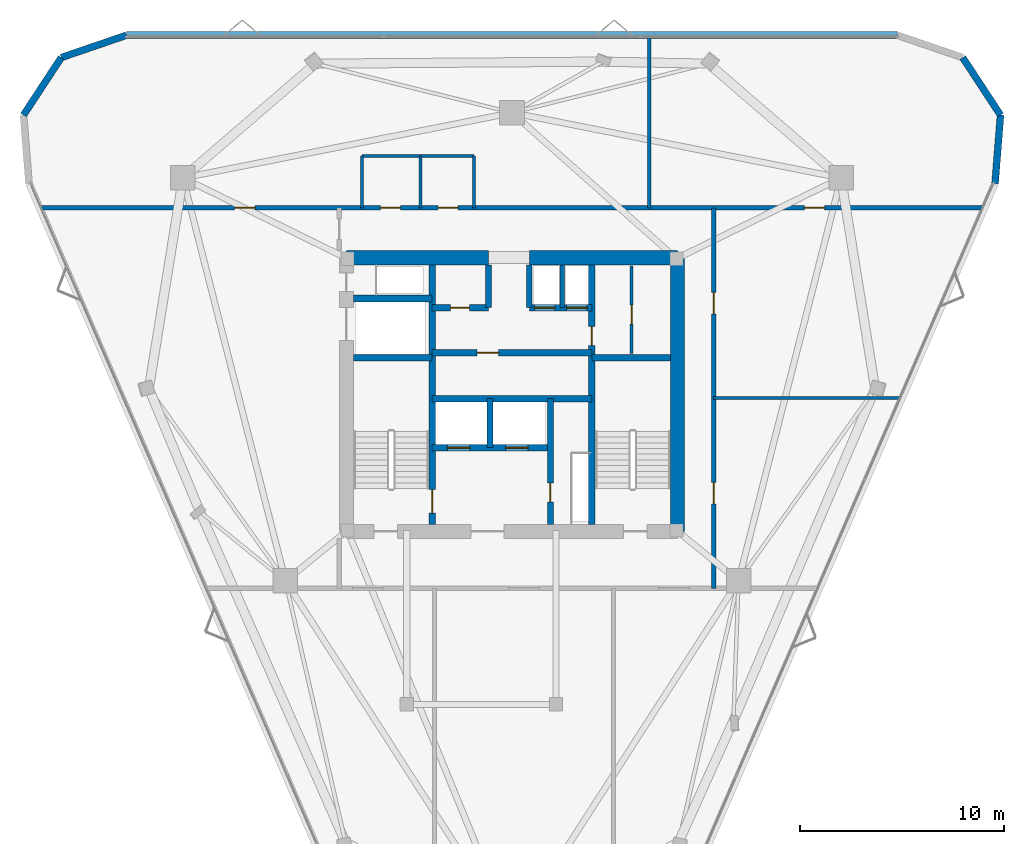
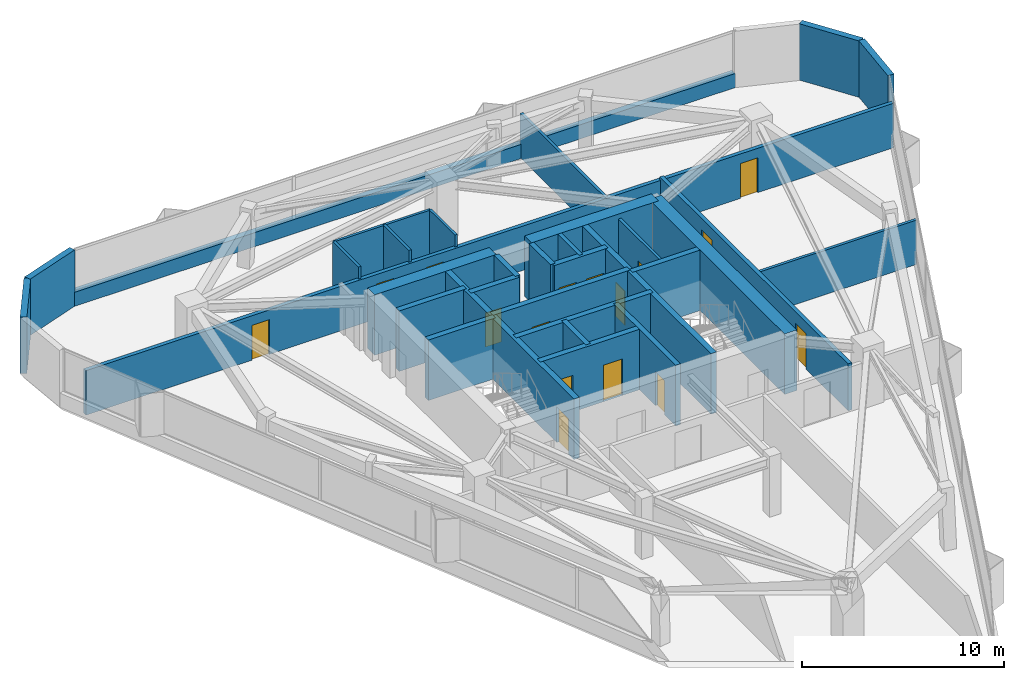
# One storey, part 9 of 11: 32 walls, 16 doors, 16 openings.
"""IFC4 building model written with IfcOpenShell, lengths in metres."""

from ifc_helpers import new_model, si_unit, direction, frame, frame_2d, origin, place, context, subcontext, project, spatial, rectangle, extrude, material, layer, layer_set, type_object, element, fill, save


model = new_model("IFC4")

# Units and contexts
model_context = context("Model", 3, precision=1e-05, world=origin(), true_north=direction((0.0, 1.0)))
body_context = subcontext(model_context, "Body", "Model", "MODEL_VIEW")
ifc_project = project(units=[si_unit("LENGTHUNIT", "METRE"), si_unit("AREAUNIT", "SQUARE_METRE"), si_unit("VOLUMEUNIT", "CUBIC_METRE"), si_unit("PLANEANGLEUNIT", "RADIAN"), si_unit("MASSUNIT", "GRAM", prefix="KILO")], contexts=[model_context])

# Site, building, storey
site_placement = place(None, origin())
site = spatial("IfcSite", under=ifc_project, at=site_placement, CompositionType="ELEMENT")
building_placement = place(site_placement, origin())
building = spatial("IfcBuilding", under=site, at=building_placement, Name="Talyreon Biosciences Tower", CompositionType="ELEMENT")
storey_placement = place(building_placement, frame((0.0, 0.0, 242.550048828125)))
storey = spatial("IfcBuildingStorey", under=building, at=storey_placement, Name="L64", CompositionType="ELEMENT", Elevation=242.550048828125)

# Walls
ifc_material_1 = material(Name="Concrete C50/60", Category="concrete")
ifc_layer_1 = layer(ifc_material_1, 0.219970703125)
ifc_layer_set_1 = layer_set([ifc_layer_1], Name="Concrete C50/60")
wall_type_1 = type_object("IfcWallType", Name="CoreShearWall_220", PredefinedType="SHEAR", material=ifc_layer_set_1)
wall_1_placement = place(storey_placement, frame((68.4599609375, 72.25, 0.0), z_axis=(0.0, 0.0, 1.0), x_axis=(0.0, 1.0, 0.0)))
element("IfcWall", 1, at=wall_1_placement, inside=storey, type_object=wall_type_1, Name="L64 Core Shaft Wall SWPHD", PredefinedType="SHEAR", context=body_context, shape_type="SweptSolid", body=[
    extrude(rectangle(XDim=2.10009765625, YDim=0.219970703125, at=frame_2d((1.050048828125, 0.0))), origin(), (0.0, 0.0, 1.0), 3.64990234375),
])
ifc_layer_2 = layer(ifc_material_1, 0.280029296875)
ifc_layer_set_2 = layer_set([ifc_layer_2], Name="Concrete C50/60")
wall_type_2 = type_object("IfcWallType", Name="CoreShearWall_280", PredefinedType="SHEAR", material=ifc_layer_set_2)
wall_2_placement = place(storey_placement, frame((64.919921875, 65.39990234375, 0.0), z_axis=(0.0, 0.0, 1.0), x_axis=(0.0, 1.0, 0.0)))
element("IfcWall", 2, at=wall_2_placement, inside=storey, type_object=wall_type_2, Name="L64 Core Shaft Wall SWSHD1", PredefinedType="SHEAR", context=body_context, shape_type="SweptSolid", body=[
    extrude(rectangle(XDim=2.400146484375, YDim=0.280029296875, at=frame_2d((1.2001953125, 0.0))), origin(), (0.0, 0.0, 1.0), 3.64990234375),
])
for number, where, z_axis, x_axis, name in (
    (3, (64.85009765625, 72.25, 0.0), (0.0, 0.0, 1.0), (0.0, 1.0, 0.0), "L64 Core Shaft Wall SWTHW"),
    (4, (66.85009765625, 72.25, 0.0), (0.0, 0.0, 1.0), (0.0, 1.0, 0.0), "L64 Core Shaft Wall SWTHE"),
):
    element("IfcWall", number, at=place(storey_placement, frame(where, z_axis=z_axis, x_axis=x_axis)), inside=storey, type_object=wall_type_2, Name=name, PredefinedType="SHEAR", context=body_context, shape_type="SweptSolid", body=[
        extrude(rectangle(XDim=2.10009765625, YDim=0.280029296875, at=frame_2d((1.050048828125, 0.0))), origin(), (0.0, 0.0, 1.0), 3.64990234375),
    ])

# Wall, opening, door
wall_3_placement = place(storey_placement, frame((67.8798828125, 61.64990234375, 0.0), z_axis=(0.0, 0.0, 1.0), x_axis=(0.0, 1.0, 0.0)))
wall_3 = element("IfcWall", 5, at=wall_3_placement, inside=storey, type_object=wall_type_2, Name="L64 Core Shaft Wall SWFFE", PredefinedType="SHEAR", context=body_context, shape_type="SweptSolid", body=[
    extrude(rectangle(XDim=6.150146484375, YDim=0.280029296875, at=frame_2d((3.0751953125, 0.0))), origin(), (0.0, 0.0, 1.0), 3.64990234375),
])
opening_1_placement = place(wall_3_placement, frame((1.10009765625, 0.0, 0.0)))
opening_1 = element("IfcOpeningElement", 6, at=opening_1_placement, cuts=wall_3, Name="Opening DR-L64-RSE", PredefinedType="OPENING", context=body_context, shape_type="SweptSolid", body=[
    extrude(rectangle(XDim=0.919921875, YDim=2.050048828125, at=frame_2d((0.4599609375, 1.02490234375))), frame((0.0, 0.14990234375, 0.0), z_axis=(0.0, -1.0, 0.0), x_axis=(1.0, 0.0, 0.0)), (0.0, 0.0, 1.0), 0.300048828125),
])
ifc_material_2 = material(Name="Painted steel fire-rated riser door", Category="steel")
door_type_1 = type_object("IfcDoorType", Name="RiserPlantAccessDoor_920x2050", OperationType="NOTDEFINED", PredefinedType="DOOR", material=ifc_material_2)
door_1_placement = place(opening_1_placement, origin())
door_1 = element("IfcDoor", 7, at=door_1_placement, inside=storey, type_object=door_type_1, Name="L64 Core Door DR-L64-RSE", OperationType="SINGLE_SWING_RIGHT", OverallHeight=2.050048828125, OverallWidth=0.919921875, PredefinedType="DOOR", context=body_context, shape_type="SweptSolid", body=[
    extrude(rectangle(XDim=0.919921875, YDim=2.050048828125, at=frame_2d((0.4599609375, 1.02490234375))), frame((0.0, 0.02490234375, 0.0), z_axis=(0.0, -1.0, 0.0), x_axis=(1.0, 0.0, 0.0)), (0.0, 0.0, 1.0), 0.050048828125),
])
fill(opening_1, door_1)

ifc_layer_3 = layer(ifc_material_1, 0.320068359375)
ifc_layer_set_3 = layer_set([ifc_layer_3], Name="Concrete C50/60")
wall_type_3 = type_object("IfcWallType", Name="CoreShearWall_320", PredefinedType="SHEAR", material=ifc_layer_set_3)
wall_4_placement = place(storey_placement, frame((62.090087890625, 61.64990234375, 0.0), z_axis=(0.0, 0.0, 1.0), x_axis=(0.0, 1.0, 0.0)))
wall_4 = element("IfcWall", 8, at=wall_4_placement, inside=storey, type_object=wall_type_3, Name="L64 Core Shaft Wall SW1E", PredefinedType="SHEAR", context=body_context, shape_type="SweptSolid", body=[
    extrude(rectangle(XDim=12.7001953125, YDim=0.320068359375, at=frame_2d((6.35009765625, 0.0))), origin(), (0.0, 0.0, 1.0), 3.64990234375),
])
opening_2_placement = place(wall_4_placement, frame((0.550048828125, 0.0, 0.0)))
opening_2 = element("IfcOpeningElement", 9, at=opening_2_placement, cuts=wall_4, Name="Opening DR-L64-FF-ST1", PredefinedType="OPENING", context=body_context, shape_type="SweptSolid", body=[
    extrude(rectangle(XDim=1.14990234375, YDim=2.14990234375, at=frame_2d((0.574951171875, 1.074951171875))), frame((0.0, 0.169921875, 0.0), z_axis=(0.0, -1.0, 0.0), x_axis=(1.0, 0.0, 0.0)), (0.0, 0.0, 1.0), 0.340087890625),
])
ifc_material_3 = material(Name="Painted steel fire door", Category="steel")
door_type_2 = type_object("IfcDoorType", Name="StairShaftFireDoor_1150x2150", OperationType="NOTDEFINED", PredefinedType="DOOR", material=ifc_material_3)
door_2_placement = place(opening_2_placement, origin())
door_2 = element("IfcDoor", 10, at=door_2_placement, inside=storey, type_object=door_type_2, Name="L64 Core Door DR-L64-FF-ST1", OperationType="SINGLE_SWING_LEFT", OverallHeight=2.14990234375, OverallWidth=1.14990234375, PredefinedType="DOOR", context=body_context, shape_type="SweptSolid", body=[
    extrude(rectangle(XDim=1.14990234375, YDim=2.14990234375, at=frame_2d((0.574951171875, 1.074951171875))), frame((0.0, 0.02490234375, 0.0), z_axis=(0.0, -1.0, 0.0), x_axis=(1.0, 0.0, 0.0)), (0.0, 0.0, 1.0), 0.050048828125),
])
fill(opening_2, door_2)

wall_5_placement = place(storey_placement, frame((69.909912109375, 61.64990234375, 0.0), z_axis=(0.0, 0.0, 1.0), x_axis=(0.0, 1.0, 0.0)))
wall_5 = element("IfcWall", 11, at=wall_5_placement, inside=storey, type_object=wall_type_3, Name="L64 Core Shaft Wall SW2W", PredefinedType="SHEAR", context=body_context, shape_type="SweptSolid", body=[
    extrude(rectangle(XDim=12.7001953125, YDim=0.320068359375, at=frame_2d((6.35009765625, 0.0))), origin(), (0.0, 0.0, 1.0), 3.64990234375),
])
opening_3_placement = place(wall_5_placement, frame((8.75, 0.0, 0.0)))
opening_3 = element("IfcOpeningElement", 12, at=opening_3_placement, cuts=wall_5, Name="Opening DR-L64-CSRV", PredefinedType="OPENING", context=body_context, shape_type="SweptSolid", body=[
    extrude(rectangle(XDim=0.919921875, YDim=2.050048828125, at=frame_2d((0.4599609375, 1.02490234375))), frame((0.0, 0.169921875, 0.0), z_axis=(0.0, -1.0, 0.0), x_axis=(1.0, 0.0, 0.0)), (0.0, 0.0, 1.0), 0.340087890625),
])
door_3_placement = place(opening_3_placement, origin())
door_3 = element("IfcDoor", 13, at=door_3_placement, inside=storey, type_object=door_type_1, Name="L64 Core Door DR-L64-CSRV", OperationType="SINGLE_SWING_RIGHT", OverallHeight=2.050048828125, OverallWidth=0.919921875, PredefinedType="DOOR", context=body_context, shape_type="SweptSolid", body=[
    extrude(rectangle(XDim=0.919921875, YDim=2.050048828125, at=frame_2d((0.4599609375, 1.02490234375))), frame((0.0, 0.02490234375, 0.0), z_axis=(0.0, -1.0, 0.0), x_axis=(1.0, 0.0, 0.0)), (0.0, 0.0, 1.0), 0.050048828125),
])
fill(opening_3, door_3)

# Walls
for number, where, z_axis, x_axis, name in (
    (14, (58.25, 69.81005859375, 0.0), (0.0, 0.0, 1.0), (1.0, 0.0, 0.0), "L64 Core Shaft Wall SW1N"),
    (15, (69.909912109375, 69.81005859375, 0.0), (0.0, 0.0, 1.0), (1.0, 0.0, 0.0), "L64 Core Shaft Wall SW2N"),
    (16, (58.25, 72.699951171875, 0.0), (0.0, 0.0, 1.0), (1.0, 0.0, 0.0), "L64 Core Shaft Wall SWGLN"),
):
    element("IfcWall", number, at=place(storey_placement, frame(where, z_axis=z_axis, x_axis=x_axis)), inside=storey, type_object=wall_type_3, Name=name, PredefinedType="SHEAR", context=body_context, shape_type="SweptSolid", body=[
        extrude(rectangle(XDim=3.840087890625, YDim=0.320068359375, at=frame_2d((1.919921875, 0.0))), origin(), (0.0, 0.0, 1.0), 3.64990234375),
    ])
wall_6_placement = place(storey_placement, frame((62.090087890625, 67.800048828125, 0.0), z_axis=(0.0, 0.0, 1.0), x_axis=(1.0, 0.0, 0.0)))
element("IfcWall", 17, at=wall_6_placement, inside=storey, type_object=wall_type_3, Name="L64 Core Shaft Wall SWSHM", PredefinedType="SHEAR", context=body_context, shape_type="SweptSolid", body=[
    extrude(rectangle(XDim=7.81982421875, YDim=0.320068359375, at=frame_2d((3.909912109375, 0.0))), origin(), (0.0, 0.0, 1.0), 3.64990234375),
])

# Wall, opening, door
wall_7_placement = place(storey_placement, frame((62.090087890625, 70.050048828125, 0.0), z_axis=(0.0, 0.0, 1.0), x_axis=(1.0, 0.0, 0.0)))
wall_7 = element("IfcWall", 18, at=wall_7_placement, inside=storey, type_object=wall_type_3, Name="L64 Core Shaft Wall SWSPN", PredefinedType="SHEAR", context=body_context, shape_type="SweptSolid", body=[
    extrude(rectangle(XDim=7.81982421875, YDim=0.320068359375, at=frame_2d((3.909912109375, 0.0))), origin(), (0.0, 0.0, 1.0), 3.64990234375),
])
opening_4_placement = place(wall_7_placement, frame((2.199951171875, 0.0, 0.0)))
opening_4 = element("IfcOpeningElement", 19, at=opening_4_placement, cuts=wall_7, Name="Opening DR-L64-PLPMFREE", PredefinedType="OPENING", context=body_context, shape_type="SweptSolid", body=[
    extrude(rectangle(XDim=1.050048828125, YDim=2.14990234375, at=frame_2d((0.52490234375, 1.074951171875))), frame((0.0, 0.169921875, 0.0), z_axis=(0.0, -1.0, 0.0), x_axis=(1.0, 0.0, 0.0)), (0.0, 0.0, 1.0), 0.340087890625),
])
ifc_material_4 = material(Name="Acoustic timber-core laboratory door", Category="wood")
door_type_3 = type_object("IfcDoorType", Name="DryLabSingleDoor_1050x2150", OperationType="NOTDEFINED", PredefinedType="DOOR", material=ifc_material_4)
door_4_placement = place(opening_4_placement, origin())
door_4 = element("IfcDoor", 20, at=door_4_placement, inside=storey, type_object=door_type_3, Name="L64 Core Door DR-L64-PLPMFREE", OperationType="SINGLE_SWING_LEFT", OverallHeight=2.14990234375, OverallWidth=1.050048828125, PredefinedType="DOOR", context=body_context, shape_type="SweptSolid", body=[
    extrude(rectangle(XDim=1.050048828125, YDim=2.14990234375, at=frame_2d((0.52490234375, 1.074951171875))), frame((0.0, 0.02490234375, 0.0), z_axis=(0.0, -1.0, 0.0), x_axis=(1.0, 0.0, 0.0)), (0.0, 0.0, 1.0), 0.050048828125),
])
fill(opening_4, door_4)

wall_8_placement = place(storey_placement, frame((62.090087890625, 72.25, 0.0), z_axis=(0.0, 0.0, 1.0), x_axis=(1.0, 0.0, 0.0)))
wall_8 = element("IfcWall", 21, at=wall_8_placement, inside=storey, type_object=wall_type_3, Name="L64 Core Shaft Wall SWNPW", PredefinedType="SHEAR", context=body_context, shape_type="SweptSolid", body=[
    extrude(rectangle(XDim=2.760009765625, YDim=0.320068359375, at=frame_2d((1.3798828125, 0.0))), origin(), (0.0, 0.0, 1.0), 3.64990234375),
])
opening_5_placement = place(wall_8_placement, frame((0.89990234375, 0.0, 0.0)))
opening_5 = element("IfcOpeningElement", 22, at=opening_5_placement, cuts=wall_8, Name="Opening DR-L64-PM2FREE", PredefinedType="OPENING", context=body_context, shape_type="SweptSolid", body=[
    extrude(rectangle(XDim=0.919921875, YDim=2.050048828125, at=frame_2d((0.4599609375, 1.02490234375))), frame((0.0, 0.169921875, 0.0), z_axis=(0.0, -1.0, 0.0), x_axis=(1.0, 0.0, 0.0)), (0.0, 0.0, 1.0), 0.340087890625),
])
door_5_placement = place(opening_5_placement, origin())
door_5 = element("IfcDoor", 23, at=door_5_placement, inside=storey, type_object=door_type_1, Name="L64 Core Door DR-L64-PM2FREE", OperationType="SINGLE_SWING_RIGHT", OverallHeight=2.050048828125, OverallWidth=0.919921875, PredefinedType="DOOR", context=body_context, shape_type="SweptSolid", body=[
    extrude(rectangle(XDim=0.919921875, YDim=2.050048828125, at=frame_2d((0.4599609375, 1.02490234375))), frame((0.0, 0.02490234375, 0.0), z_axis=(0.0, -1.0, 0.0), x_axis=(1.0, 0.0, 0.0)), (0.0, 0.0, 1.0), 0.050048828125),
])
fill(opening_5, door_5)

# Wall, openings, doors
wall_9_placement = place(storey_placement, frame((66.85009765625, 72.25, 0.0), z_axis=(0.0, 0.0, 1.0), x_axis=(1.0, 0.0, 0.0)))
wall_9 = element("IfcWall", 24, at=wall_9_placement, inside=storey, type_object=wall_type_3, Name="L64 Core Shaft Wall SWNPE", PredefinedType="SHEAR", context=body_context, shape_type="SweptSolid", body=[
    extrude(rectangle(XDim=3.059814453125, YDim=0.320068359375, at=frame_2d((1.52978515625, 0.0))), origin(), (0.0, 0.0, 1.0), 3.64990234375),
])
opening_6_placement = place(wall_9_placement, frame((0.25, 0.0, 0.0)))
opening_6 = element("IfcOpeningElement", 25, at=opening_6_placement, cuts=wall_9, Name="Opening LD-L64-PH1", PredefinedType="OPENING", context=body_context, shape_type="SweptSolid", body=[
    extrude(rectangle(XDim=1.0, YDim=2.199951171875, at=frame_2d((0.5, 1.10009765625))), frame((0.0, 0.169921875, 0.0), z_axis=(0.0, -1.0, 0.0), x_axis=(1.0, 0.0, 0.0)), (0.0, 0.0, 1.0), 0.340087890625),
])
opening_7_placement = place(wall_9_placement, frame((1.820068359375, 0.0, 0.0)))
opening_7 = element("IfcOpeningElement", 26, at=opening_7_placement, cuts=wall_9, Name="Opening LD-L64-PH2", PredefinedType="OPENING", context=body_context, shape_type="SweptSolid", body=[
    extrude(rectangle(XDim=1.0, YDim=2.199951171875, at=frame_2d((0.5, 1.10009765625))), frame((0.0, 0.169921875, 0.0), z_axis=(0.0, -1.0, 0.0), x_axis=(1.0, 0.0, 0.0)), (0.0, 0.0, 1.0), 0.340087890625),
])
ifc_material_5 = material(Name="Brushed stainless-steel lift landing door", Category="steel")
door_type_4 = type_object("IfcDoorType", Name="LiftSlidingLandingDoor_1100x2200", OperationType="SLIDING_TO_LEFT", PredefinedType="DOOR", material=ifc_material_5)
door_6_placement = place(opening_6_placement, origin())
door_6 = element("IfcDoor", 27, at=door_6_placement, inside=storey, type_object=door_type_4, Name="L64 Core Door LD-L64-PH1", OperationType="SLIDING_TO_LEFT", OverallHeight=2.199951171875, OverallWidth=1.0, PredefinedType="DOOR", context=body_context, shape_type="SweptSolid", body=[
    extrude(rectangle(XDim=1.0, YDim=2.199951171875, at=frame_2d((0.5, 1.10009765625))), frame((0.0, 0.02490234375, 0.0), z_axis=(0.0, -1.0, 0.0), x_axis=(1.0, 0.0, 0.0)), (0.0, 0.0, 1.0), 0.050048828125),
])
fill(opening_6, door_6)
door_7_placement = place(opening_7_placement, origin())
door_7 = element("IfcDoor", 28, at=door_7_placement, inside=storey, type_object=door_type_4, Name="L64 Core Door LD-L64-PH2", OperationType="SLIDING_TO_LEFT", OverallHeight=2.199951171875, OverallWidth=1.0, PredefinedType="DOOR", context=body_context, shape_type="SweptSolid", body=[
    extrude(rectangle(XDim=1.0, YDim=2.199951171875, at=frame_2d((0.5, 1.10009765625))), frame((0.0, 0.02490234375, 0.0), z_axis=(0.0, -1.0, 0.0), x_axis=(1.0, 0.0, 0.0)), (0.0, 0.0, 1.0), 0.050048828125),
])
fill(opening_7, door_7)

wall_10_placement = place(storey_placement, frame((62.090087890625, 65.39990234375, 0.0), z_axis=(0.0, 0.0, 1.0), x_axis=(1.0, 0.0, 0.0)))
wall_10 = element("IfcWall", 29, at=wall_10_placement, inside=storey, type_object=wall_type_3, Name="L64 Core Shaft Wall SWFFN", PredefinedType="SHEAR", context=body_context, shape_type="SweptSolid", body=[
    extrude(rectangle(XDim=5.789794921875, YDim=0.320068359375, at=frame_2d((2.89501953125, 0.0))), origin(), (0.0, 0.0, 1.0), 3.64990234375),
])
opening_8_placement = place(wall_10_placement, frame((0.75, 0.0, 0.0)))
opening_8 = element("IfcOpeningElement", 30, at=opening_8_placement, cuts=wall_10, Name="Opening LD-L64-FL1", PredefinedType="OPENING", context=body_context, shape_type="SweptSolid", body=[
    extrude(rectangle(XDim=1.10009765625, YDim=2.199951171875, at=frame_2d((0.550048828125, 1.10009765625))), frame((0.0, 0.169921875, 0.0), z_axis=(0.0, -1.0, 0.0), x_axis=(1.0, 0.0, 0.0)), (0.0, 0.0, 1.0), 0.340087890625),
])
opening_9_placement = place(wall_10_placement, frame((3.60009765625, 0.0, 0.0)))
opening_9 = element("IfcOpeningElement", 31, at=opening_9_placement, cuts=wall_10, Name="Opening LD-L64-FL2", PredefinedType="OPENING", context=body_context, shape_type="SweptSolid", body=[
    extrude(rectangle(XDim=1.10009765625, YDim=2.199951171875, at=frame_2d((0.550048828125, 1.10009765625))), frame((0.0, 0.169921875, 0.0), z_axis=(0.0, -1.0, 0.0), x_axis=(1.0, 0.0, 0.0)), (0.0, 0.0, 1.0), 0.340087890625),
])
door_8_placement = place(opening_8_placement, origin())
door_8 = element("IfcDoor", 32, at=door_8_placement, inside=storey, type_object=door_type_4, Name="L64 Core Door LD-L64-FL1", OperationType="SLIDING_TO_LEFT", OverallHeight=2.199951171875, OverallWidth=1.10009765625, PredefinedType="DOOR", context=body_context, shape_type="SweptSolid", body=[
    extrude(rectangle(XDim=1.10009765625, YDim=2.199951171875, at=frame_2d((0.550048828125, 1.10009765625))), frame((0.0, 0.02490234375, 0.0), z_axis=(0.0, -1.0, 0.0), x_axis=(1.0, 0.0, 0.0)), (0.0, 0.0, 1.0), 0.050048828125),
])
fill(opening_8, door_8)
door_9_placement = place(opening_9_placement, origin())
door_9 = element("IfcDoor", 33, at=door_9_placement, inside=storey, type_object=door_type_4, Name="L64 Core Door LD-L64-FL2", OperationType="SLIDING_TO_LEFT", OverallHeight=2.199951171875, OverallWidth=1.10009765625, PredefinedType="DOOR", context=body_context, shape_type="SweptSolid", body=[
    extrude(rectangle(XDim=1.10009765625, YDim=2.199951171875, at=frame_2d((0.550048828125, 1.10009765625))), frame((0.0, 0.02490234375, 0.0), z_axis=(0.0, -1.0, 0.0), x_axis=(1.0, 0.0, 0.0)), (0.0, 0.0, 1.0), 0.050048828125),
])
fill(opening_9, door_9)

# Walls
ifc_layer_4 = layer(ifc_material_1, 0.699951171875)
ifc_layer_set_4 = layer_set([ifc_layer_4], Name="Concrete C50/60")
wall_type_4 = type_object("IfcWallType", Name="CoreShearWall_700", PredefinedType="SHEAR", material=ifc_layer_set_4)
wall_11_placement = place(storey_placement, frame((74.10009765625, 61.300048828125, 0.0), z_axis=(0.0, 0.0, 1.0), x_axis=(0.0, 1.0, 0.0)))
element("IfcWall", 34, at=wall_11_placement, inside=storey, type_object=wall_type_4, Name="L64 Core Shear Wall E", PredefinedType="SHEAR", context=body_context, shape_type="SweptSolid", body=[
    extrude(rectangle(XDim=13.39990234375, YDim=0.699951171875, at=frame_2d((6.699951171875, 0.0))), origin(), (0.0, 0.0, 1.0), 3.64990234375),
])
wall_12_placement = place(storey_placement, frame((74.10009765625, 74.699951171875, 0.0), z_axis=(0.0, 0.0, 1.0), x_axis=(-1.0, 0.0, 0.0)))
element("IfcWall", 35, at=wall_12_placement, inside=storey, type_object=wall_type_4, Name="L64 Core Shear Wall NE", PredefinedType="SHEAR", context=body_context, shape_type="SweptSolid", body=[
    extrude(rectangle(XDim=7.25, YDim=0.699951171875, at=frame_2d((3.625, 0.0))), origin(), (0.0, 0.0, 1.0), 3.64990234375),
])
wall_13_placement = place(storey_placement, frame((64.85009765625, 74.699951171875, 0.0), z_axis=(0.0, 0.0, 1.0), x_axis=(-1.0, 0.0, 0.0)))
element("IfcWall", 36, at=wall_13_placement, inside=storey, type_object=wall_type_4, Name="L64 Core Shear Wall NW", PredefinedType="SHEAR", context=body_context, shape_type="SweptSolid", body=[
    extrude(rectangle(XDim=6.9501953125, YDim=0.699951171875, at=frame_2d((3.47509765625, 0.0))), origin(), (0.0, 0.0, 1.0), 3.64990234375),
])

# Wall, openings, doors
ifc_material_6 = material(Name="Gypsum fireboard acoustic stud", Category="gypsum")
ifc_layer_5 = layer(ifc_material_6, 0.219970703125)
ifc_layer_set_5 = layer_set([ifc_layer_5], Name="Gypsum fireboard acoustic stud")
wall_type_5 = type_object("IfcWallType", Name="CorridorRatedPartition_220", PredefinedType="PARTITIONING", material=ifc_layer_set_5)
wall_14_placement = place(storey_placement, frame((42.966796875, 77.1298828125, 0.0), z_axis=(0.0, 0.0, 1.0), x_axis=(1.0, 0.0, 0.0)))
wall_14 = element("IfcWall", 37, at=wall_14_placement, inside=storey, type_object=wall_type_5, Name="L64 Interior Wall IW-L64-COR-N", PredefinedType="PARTITIONING", context=body_context, shape_type="SweptSolid", body=[
    extrude(rectangle(XDim=46.06640625, YDim=0.219970703125, at=frame_2d((23.033203125, 0.0))), origin(), (0.0, 0.0, 1.0), 2.679931640625),
])
opening_10_placement = place(wall_14_placement, frame((16.593017578125, 0.0, 0.0)))
opening_10 = element("IfcOpeningElement", 38, at=opening_10_placement, cuts=wall_14, Name="Opening DR-L64-WC", PredefinedType="OPENING", context=body_context, shape_type="SweptSolid", body=[
    extrude(rectangle(XDim=0.97998046875, YDim=2.10009765625, at=frame_2d((0.489990234375, 1.050048828125))), frame((0.0, 0.119873046875, 0.0), z_axis=(0.0, -1.0, 0.0), x_axis=(1.0, 0.0, 0.0)), (0.0, 0.0, 1.0), 0.239990234375),
])
opening_11_placement = place(wall_14_placement, frame((19.41796875, 0.0, 0.0)))
opening_11 = element("IfcOpeningElement", 39, at=opening_11_placement, cuts=wall_14, Name="Opening DR-L64-AWC", PredefinedType="OPENING", context=body_context, shape_type="SweptSolid", body=[
    extrude(rectangle(XDim=0.97998046875, YDim=2.10009765625, at=frame_2d((0.489990234375, 1.050048828125))), frame((0.0, 0.119873046875, 0.0), z_axis=(0.0, -1.0, 0.0), x_axis=(1.0, 0.0, 0.0)), (0.0, 0.0, 1.0), 0.239990234375),
])
opening_12_placement = place(wall_14_placement, frame((9.464111328125, 0.0, 0.0)))
opening_12 = element("IfcOpeningElement", 40, at=opening_12_placement, cuts=wall_14, Name="Opening DR-L64-N1A", PredefinedType="OPENING", context=body_context, shape_type="SweptSolid", body=[
    extrude(rectangle(XDim=1.0, YDim=2.10009765625, at=frame_2d((0.5, 1.050048828125))), frame((0.0, 0.119873046875, 0.0), z_axis=(0.0, -1.0, 0.0), x_axis=(1.0, 0.0, 0.0)), (0.0, 0.0, 1.0), 0.239990234375),
])
opening_13_placement = place(wall_14_placement, frame((37.3349609375, 0.0, 0.0)))
opening_13 = element("IfcOpeningElement", 41, at=opening_13_placement, cuts=wall_14, Name="Opening DR-L64-N2A", PredefinedType="OPENING", context=body_context, shape_type="SweptSolid", body=[
    extrude(rectangle(XDim=1.0, YDim=2.10009765625, at=frame_2d((0.5, 1.050048828125))), frame((0.0, 0.119873046875, 0.0), z_axis=(0.0, -1.0, 0.0), x_axis=(1.0, 0.0, 0.0)), (0.0, 0.0, 1.0), 0.239990234375),
])
ifc_material_7 = material(Name="Laminate moisture-resistant door", Category="wood")
door_type_5 = type_object("IfcDoorType", Name="AccessibleToiletDoor_980x2100", OperationType="NOTDEFINED", PredefinedType="DOOR", material=ifc_material_7)
door_10_placement = place(opening_10_placement, origin())
door_10 = element("IfcDoor", 42, at=door_10_placement, inside=storey, type_object=door_type_5, Name="L64 Interior Door DR-L64-WC", OperationType="SINGLE_SWING_RIGHT", OverallHeight=2.10009765625, OverallWidth=0.97998046875, PredefinedType="DOOR", context=body_context, shape_type="SweptSolid", body=[
    extrude(rectangle(XDim=0.97998046875, YDim=2.10009765625, at=frame_2d((0.489990234375, 1.050048828125))), frame((0.0, 0.02490234375, 0.0), z_axis=(0.0, -1.0, 0.0), x_axis=(1.0, 0.0, 0.0)), (0.0, 0.0, 1.0), 0.050048828125),
])
fill(opening_10, door_10)
door_11_placement = place(opening_11_placement, origin())
door_11 = element("IfcDoor", 43, at=door_11_placement, inside=storey, type_object=door_type_5, Name="L64 Interior Door DR-L64-AWC", OperationType="SINGLE_SWING_RIGHT", OverallHeight=2.10009765625, OverallWidth=0.97998046875, PredefinedType="DOOR", context=body_context, shape_type="SweptSolid", body=[
    extrude(rectangle(XDim=0.97998046875, YDim=2.10009765625, at=frame_2d((0.489990234375, 1.050048828125))), frame((0.0, 0.02490234375, 0.0), z_axis=(0.0, -1.0, 0.0), x_axis=(1.0, 0.0, 0.0)), (0.0, 0.0, 1.0), 0.050048828125),
])
fill(opening_11, door_11)
ifc_material_8 = material(Name="Acoustic oak veneer office door", Category="wood")
door_type_6 = type_object("IfcDoorType", Name="WriteupOfficeDoor_1000x2100", OperationType="NOTDEFINED", PredefinedType="DOOR", material=ifc_material_8)
door_12_placement = place(opening_12_placement, origin())
door_12 = element("IfcDoor", 44, at=door_12_placement, inside=storey, type_object=door_type_6, Name="L64 Interior Door DR-L64-N1A", OperationType="SINGLE_SWING_RIGHT", OverallHeight=2.10009765625, OverallWidth=1.0, PredefinedType="DOOR", context=body_context, shape_type="SweptSolid", body=[
    extrude(rectangle(XDim=1.0, YDim=2.10009765625, at=frame_2d((0.5, 1.050048828125))), frame((0.0, 0.02490234375, 0.0), z_axis=(0.0, -1.0, 0.0), x_axis=(1.0, 0.0, 0.0)), (0.0, 0.0, 1.0), 0.050048828125),
])
fill(opening_12, door_12)
door_13_placement = place(opening_13_placement, origin())
door_13 = element("IfcDoor", 45, at=door_13_placement, inside=storey, type_object=door_type_6, Name="L64 Interior Door DR-L64-N2A", OperationType="SINGLE_SWING_LEFT", OverallHeight=2.10009765625, OverallWidth=1.0, PredefinedType="DOOR", context=body_context, shape_type="SweptSolid", body=[
    extrude(rectangle(XDim=1.0, YDim=2.10009765625, at=frame_2d((0.5, 1.050048828125))), frame((0.0, 0.02490234375, 0.0), z_axis=(0.0, -1.0, 0.0), x_axis=(1.0, 0.0, 0.0)), (0.0, 0.0, 1.0), 0.050048828125),
])
fill(opening_13, door_13)

wall_15_placement = place(storey_placement, frame((75.8701171875, 58.52001953125, 0.0), z_axis=(0.0, 0.0, 1.0), x_axis=(0.0, 1.0, 0.0)))
wall_15 = element("IfcWall", 46, at=wall_15_placement, inside=storey, type_object=wall_type_5, Name="L64 Interior Wall IW-L64-COR-E", PredefinedType="PARTITIONING", context=body_context, shape_type="SweptSolid", body=[
    extrude(rectangle(XDim=18.60986328125, YDim=0.219970703125, at=frame_2d((9.304931640625, 0.0))), origin(), (0.0, 0.0, 1.0), 2.829833984375),
])
opening_14_placement = place(wall_15_placement, frame((4.1279296875, 0.0, 0.0)))
opening_14 = element("IfcOpeningElement", 47, at=opening_14_placement, cuts=wall_15, Name="Opening DR-L64-E1A", PredefinedType="OPENING", context=body_context, shape_type="SweptSolid", body=[
    extrude(rectangle(XDim=1.050048828125, YDim=2.14990234375, at=frame_2d((0.52490234375, 1.074951171875))), frame((0.0, 0.119873046875, 0.0), z_axis=(0.0, -1.0, 0.0), x_axis=(1.0, 0.0, 0.0)), (0.0, 0.0, 1.0), 0.239990234375),
])
opening_15_placement = place(wall_15_placement, frame((13.431884765625, 0.0, 0.0)))
opening_15 = element("IfcOpeningElement", 48, at=opening_15_placement, cuts=wall_15, Name="Opening DR-L64-E2A", PredefinedType="OPENING", context=body_context, shape_type="SweptSolid", body=[
    extrude(rectangle(XDim=1.050048828125, YDim=2.14990234375, at=frame_2d((0.52490234375, 1.074951171875))), frame((0.0, 0.119873046875, 0.0), z_axis=(0.0, -1.0, 0.0), x_axis=(1.0, 0.0, 0.0)), (0.0, 0.0, 1.0), 0.239990234375),
])
door_14_placement = place(opening_14_placement, origin())
door_14 = element("IfcDoor", 49, at=door_14_placement, inside=storey, type_object=door_type_3, Name="L64 Interior Door DR-L64-E1A", OperationType="SINGLE_SWING_LEFT", OverallHeight=2.14990234375, OverallWidth=1.050048828125, PredefinedType="DOOR", context=body_context, shape_type="SweptSolid", body=[
    extrude(rectangle(XDim=1.050048828125, YDim=2.14990234375, at=frame_2d((0.52490234375, 1.074951171875))), frame((0.0, 0.02490234375, 0.0), z_axis=(0.0, -1.0, 0.0), x_axis=(1.0, 0.0, 0.0)), (0.0, 0.0, 1.0), 0.050048828125),
])
fill(opening_14, door_14)
door_15_placement = place(opening_15_placement, origin())
door_15 = element("IfcDoor", 50, at=door_15_placement, inside=storey, type_object=door_type_3, Name="L64 Interior Door DR-L64-E2A", OperationType="SINGLE_SWING_RIGHT", OverallHeight=2.14990234375, OverallWidth=1.050048828125, PredefinedType="DOOR", context=body_context, shape_type="SweptSolid", body=[
    extrude(rectangle(XDim=1.050048828125, YDim=2.14990234375, at=frame_2d((0.52490234375, 1.074951171875))), frame((0.0, 0.02490234375, 0.0), z_axis=(0.0, -1.0, 0.0), x_axis=(1.0, 0.0, 0.0)), (0.0, 0.0, 1.0), 0.050048828125),
])
fill(opening_15, door_15)

# Wall, opening, door
ifc_material_9 = material(Name="Gypsum acoustic stud partition", Category="gypsum")
ifc_layer_6 = layer(ifc_material_9, 0.159912109375)
ifc_layer_set_6 = layer_set([ifc_layer_6], Name="Gypsum acoustic stud partition")
wall_type_6 = type_object("IfcWallType", Name="LabSeparationPartition_160", PredefinedType="PARTITIONING", material=ifc_layer_set_6)
wall_16_placement = place(storey_placement, frame((71.85009765625, 70.0, 0.0), z_axis=(0.0, 0.0, 1.0), x_axis=(0.0, 1.0, 0.0)))
wall_16 = element("IfcWall", 51, at=wall_16_placement, inside=storey, type_object=wall_type_6, Name="L64 Interior Wall IW-L64-CSRV-V", PredefinedType="PARTITIONING", context=body_context, shape_type="SweptSolid", body=[
    extrude(rectangle(XDim=4.300048828125, YDim=0.159912109375, at=frame_2d((2.14990234375, 0.0))), origin(), (0.0, 0.0, 1.0), 3.39990234375),
])
opening_16_placement = place(wall_16_placement, frame((1.449951171875, 0.0, 0.0)))
opening_16 = element("IfcOpeningElement", 52, at=opening_16_placement, cuts=wall_16, Name="Opening DR-L64-CSRV-I", PredefinedType="OPENING", context=body_context, shape_type="SweptSolid", body=[
    extrude(rectangle(XDim=0.919921875, YDim=2.050048828125, at=frame_2d((0.4599609375, 1.02490234375))), frame((0.0, 0.08984375, 0.0), z_axis=(0.0, -1.0, 0.0), x_axis=(1.0, 0.0, 0.0)), (0.0, 0.0, 1.0), 0.179931640625),
])
door_16_placement = place(opening_16_placement, origin())
door_16 = element("IfcDoor", 53, at=door_16_placement, inside=storey, type_object=door_type_1, Name="L64 Interior Door DR-L64-CSRV-I", OperationType="SINGLE_SWING_RIGHT", OverallHeight=2.050048828125, OverallWidth=0.919921875, PredefinedType="DOOR", context=body_context, shape_type="SweptSolid", body=[
    extrude(rectangle(XDim=0.919921875, YDim=2.050048828125, at=frame_2d((0.4599609375, 1.02490234375))), frame((0.0, 0.02490234375, 0.0), z_axis=(0.0, -1.0, 0.0), x_axis=(1.0, 0.0, 0.0)), (0.0, 0.0, 1.0), 0.050048828125),
])
fill(opening_16, door_16)

# Walls
wall_17_placement = place(storey_placement, frame((72.720947265625, 77.1298828125, 0.0), z_axis=(0.0, 0.0, 1.0), x_axis=(0.0, 1.0, 0.0)))
element("IfcWall", 54, at=wall_17_placement, inside=storey, type_object=wall_type_6, Name="L64 Interior Wall IW-L64-NDIV1", PredefinedType="PARTITIONING", context=body_context, shape_type="SweptSolid", body=[
    extrude(rectangle(XDim=8.369873046875, YDim=0.159912109375, at=frame_2d((4.18505859375, 0.0))), origin(), (0.0, 0.0, 1.0), 2.679931640625),
])
wall_18_placement = place(storey_placement, frame((75.8701171875, 67.824951171875, 0.0), z_axis=(0.0, 0.0, 1.0), x_axis=(1.0, 0.0, 0.0)))
element("IfcWall", 55, at=wall_18_placement, inside=storey, type_object=wall_type_6, Name="L64 Interior Wall IW-L64-EDIV1", PredefinedType="PARTITIONING", context=body_context, shape_type="SweptSolid", body=[
    extrude(rectangle(XDim=9.128173828125, YDim=0.159912109375, at=frame_2d((4.56396484375, 0.0))), origin(), (0.0, 0.0, 1.0), 2.679931640625),
])
ifc_material_10 = material(Name="Precast concrete C45/55", Category="concrete")
ifc_layer_7 = layer(ifc_material_10, 0.340087890625)
ifc_layer_set_7 = layer_set([ifc_layer_7], Name="Precast concrete C45/55")
wall_type_7 = type_object("IfcWallType", Name="PrecastConcreteSpandrelWall_340", PredefinedType="STANDARD", material=ifc_layer_set_7)
wall_19_placement = place(storey_placement, frame((42.093505859375, 81.67529296875, 0.0), z_axis=(0.0, 0.0, 1.0), x_axis=(0.548700748562, 0.836018832639, 0.0)))
element("IfcWall", 56, at=wall_19_placement, inside=storey, type_object=wall_type_7, Name="L64 Rounded-Corner Concrete Pier 02", PredefinedType="STANDARD", context=body_context, shape_type="SweptSolid", body=[
    extrude(rectangle(XDim=3.3701171875, YDim=0.340087890625, at=frame_2d((1.68505859375, 0.0))), origin(), (0.0, 0.0, 1.0), 3.39990234375),
])
wall_20_placement = place(storey_placement, frame((43.942626953125, 84.49267578125, 0.0), z_axis=(0.0, 0.0, 1.0), x_axis=(0.946035452073, 0.324063147275, 0.0)))
element("IfcWall", 57, at=wall_20_placement, inside=storey, type_object=wall_type_7, Name="L64 Rounded-Corner Concrete Pier 03", PredefinedType="STANDARD", context=body_context, shape_type="SweptSolid", body=[
    extrude(rectangle(XDim=3.369873046875, YDim=0.340087890625, at=frame_2d((1.68505859375, 0.0))), origin(), (0.0, 0.0, 1.0), 3.39990234375),
])
wall_21_placement = place(storey_placement, frame((47.130615234375, 85.584716796875, 0.0), z_axis=(0.0, 0.0, 1.0), x_axis=(1.0, 0.0, 0.0)))
element("IfcWall", 58, at=wall_21_placement, inside=storey, type_object=wall_type_7, Name="L64 Expressed Concrete Sill Wall 04", PredefinedType="STANDARD", context=body_context, shape_type="SweptSolid", body=[
    extrude(rectangle(XDim=37.738525390625, YDim=0.340087890625, at=frame_2d((18.869140625, 0.0))), origin(), (0.0, 0.0, 1.0), 0.849853515625),
])
wall_22_placement = place(storey_placement, frame((88.057373046875, 84.49267578125, 0.0), z_axis=(0.0, 0.0, 1.0), x_axis=(0.548700748562, -0.836018832639, 0.0)))
element("IfcWall", 59, at=wall_22_placement, inside=storey, type_object=wall_type_7, Name="L64 Rounded-Corner Concrete Pier 06", PredefinedType="STANDARD", context=body_context, shape_type="SweptSolid", body=[
    extrude(rectangle(XDim=3.3701171875, YDim=0.340087890625, at=frame_2d((1.68505859375, 0.0))), origin(), (0.0, 0.0, 1.0), 3.39990234375),
])
wall_23_placement = place(storey_placement, frame((89.906494140625, 81.67529296875, 0.0), z_axis=(0.0, 0.0, 1.0), x_axis=(-0.079111730003, -0.996865755343, 0.0)))
element("IfcWall", 60, at=wall_23_placement, inside=storey, type_object=wall_type_7, Name="L64 Rounded-Corner Concrete Pier 07", PredefinedType="STANDARD", context=body_context, shape_type="SweptSolid", body=[
    extrude(rectangle(XDim=3.369873046875, YDim=0.340087890625, at=frame_2d((1.68505859375, 0.0))), origin(), (0.0, 0.0, 1.0), 3.39990234375),
])
ifc_material_11 = material(Name="Moisture-resistant cement-board stud", Category="gypsum")
ifc_layer_8 = layer(ifc_material_11, 0.14501953125)
ifc_layer_set_8 = layer_set([ifc_layer_8], Name="Moisture-resistant cement-board stud")
wall_type_8 = type_object("IfcWallType", Name="WetRoomPartition_145", PredefinedType="PARTITIONING", material=ifc_layer_set_8)
for number, where, z_axis, x_axis, name in (
    (61, (58.64990234375, 77.1298828125, 0.0), (0.0, 0.0, 1.0), (0.0, 1.0, 0.0), "L64 Interior Wall IW-L64-WCL"),
    (62, (61.52490234375, 77.1298828125, 0.0), (0.0, 0.0, 1.0), (0.0, 1.0, 0.0), "L64 Interior Wall IW-L64-WCM"),
    (63, (64.14990234375, 77.1298828125, 0.0), (0.0, 0.0, 1.0), (0.0, 1.0, 0.0), "L64 Interior Wall IW-L64-WCR"),
):
    element("IfcWall", number, at=place(storey_placement, frame(where, z_axis=z_axis, x_axis=x_axis)), inside=storey, type_object=wall_type_8, Name=name, PredefinedType="PARTITIONING", context=body_context, shape_type="SweptSolid", body=[
        extrude(rectangle(XDim=2.550048828125, YDim=0.14501953125, at=frame_2d((1.27490234375, 0.0))), origin(), (0.0, 0.0, 1.0), 3.39990234375),
    ])
wall_24_placement = place(storey_placement, frame((58.64990234375, 79.679931640625, 0.0), z_axis=(0.0, 0.0, 1.0), x_axis=(1.0, 0.0, 0.0)))
element("IfcWall", 64, at=wall_24_placement, inside=storey, type_object=wall_type_8, Name="L64 Interior Wall IW-L64-WCT", PredefinedType="PARTITIONING", context=body_context, shape_type="SweptSolid", body=[
    extrude(rectangle(XDim=5.5, YDim=0.14501953125, at=frame_2d((2.75, 0.0))), origin(), (0.0, 0.0, 1.0), 3.39990234375),
])

save(model, "model.ifc")
